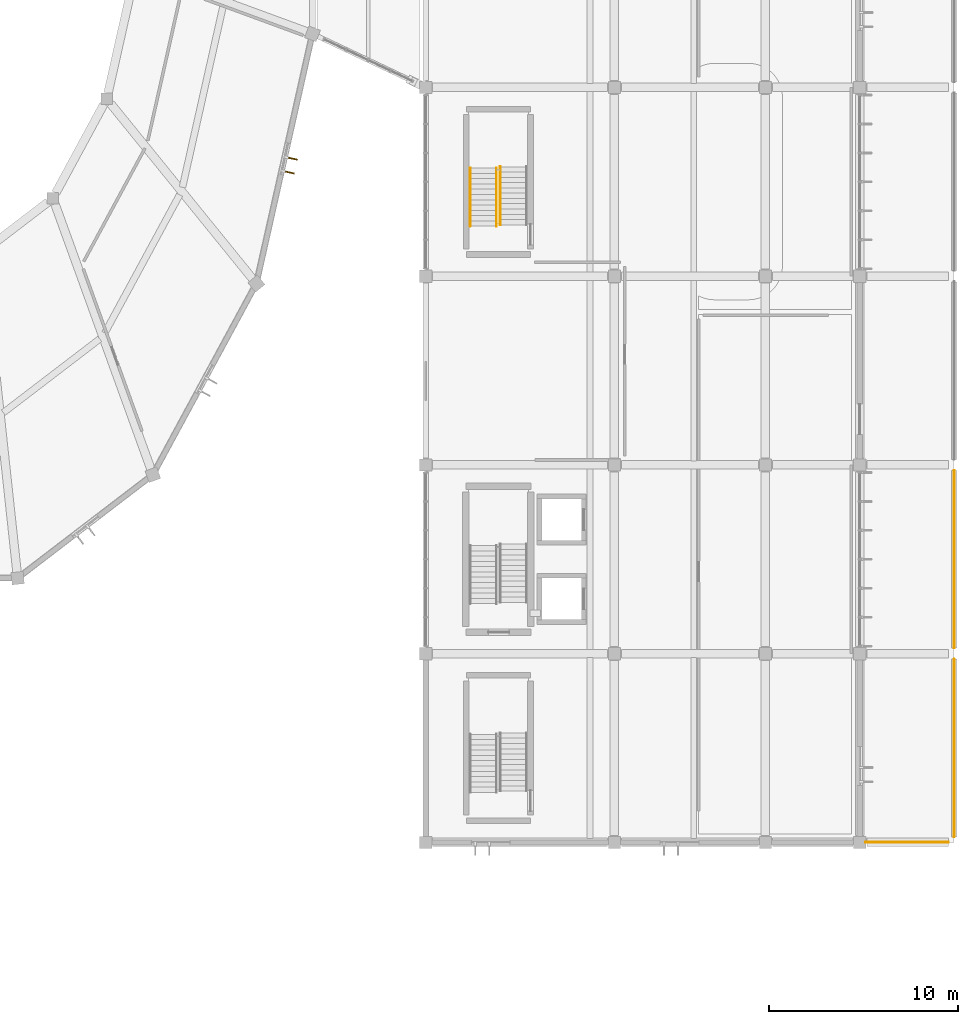
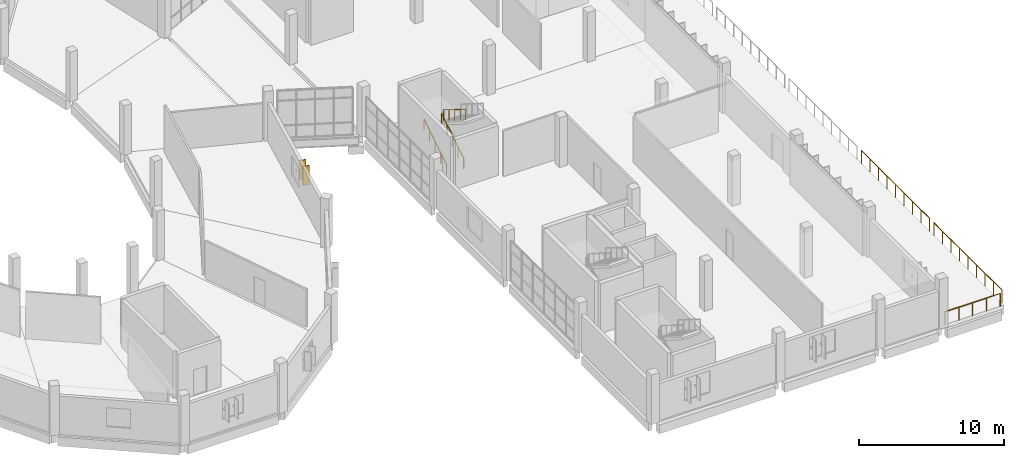
# One storey, part 135 of 142: 6 railings, 2 shading devices.
"""IFC4 building model written with IfcOpenShell, lengths in metres."""

from ifc_helpers import new_model, si_unit, direction, frame, origin, origin_2d, place, context, subcontext, project, spatial, rectangle, circle, extrude, material, layer, layer_set, type_object, element, save


model = new_model("IFC4")

# Units and contexts
model_context = context("Model", 3, precision=1e-05, world=origin(), true_north=direction((0.0, 1.0)))
body_context = subcontext(model_context, "Body", "Model", "MODEL_VIEW")
ifc_project = project(units=[si_unit("LENGTHUNIT", "METRE"), si_unit("AREAUNIT", "SQUARE_METRE"), si_unit("VOLUMEUNIT", "CUBIC_METRE"), si_unit("PLANEANGLEUNIT", "RADIAN"), si_unit("MASSUNIT", "GRAM", prefix="KILO")], contexts=[model_context])

# Site, building, storey
site_placement = place(None, origin())
site = spatial("IfcSite", under=ifc_project, at=site_placement, CompositionType="ELEMENT")
building_placement = place(site_placement, origin())
building = spatial("IfcBuilding", under=site, at=building_placement, Name="Corvandel Quay Wholesale Market", CompositionType="ELEMENT")
storey_placement = place(building_placement, frame((0.0, 0.0, 10.800048828125)))
storey = spatial("IfcBuildingStorey", under=building, at=storey_placement, Name="L02", CompositionType="ELEMENT", Elevation=10.800048828125)

# Railings
ifc_material_1 = material(Name="Hot-dip galvanised painted steel", Category="steel")
ifc_layer_1 = layer(ifc_material_1, 0.06005859375)
ifc_layer_set_1 = layer_set([ifc_layer_1], Name="Hot-dip galvanised painted steel")
railing_type_1 = type_object("IfcRailingType", Name="Galvanised Steel Guard Balustrade GR01 1100mm", PredefinedType="BALUSTRADE", material=ifc_layer_set_1)
for number, where, name in (
    (1, (248.0, 10.300048828125, 0.0), "Harbour Terrace Guard L02 GR-0030"),
    (2, (248.0, 20.300048828125, 0.0), "Harbour Terrace Guard L02 GR-0031"),
):
    element("IfcRailing", number, at=place(storey_placement, frame(where)), inside=storey, type_object=railing_type_1, Name=name, PredefinedType="BALUSTRADE", context=body_context, shape_type="SweptSolid", body=[
        extrude(circle(Radius=0.02392578125, at=origin_2d()), frame((0.0, 0.0, 1.076171875), z_axis=(0.0, 1.0, 0.0), x_axis=(-1.0, 0.0, 0.0)), (0.0, 0.0, 1.0), 9.39990234375),
        extrude(circle(Radius=0.02099609375, at=origin_2d()), origin(), (0.0, 0.0, 1.0), 1.052001953125),
        extrude(circle(Radius=0.02099609375, at=origin_2d()), frame((0.0, 1.175048828125, 0.0)), (0.0, 0.0, 1.0), 1.052001953125),
        extrude(circle(Radius=0.02099609375, at=origin_2d()), frame((0.0, 2.35009765625, 0.0)), (0.0, 0.0, 1.0), 1.052001953125),
        extrude(circle(Radius=0.02099609375, at=origin_2d()), frame((0.0, 3.52490234375, 0.0)), (0.0, 0.0, 1.0), 1.052001953125),
        extrude(circle(Radius=0.02099609375, at=origin_2d()), frame((0.0, 4.699951171875, 0.0)), (0.0, 0.0, 1.0), 1.052001953125),
        extrude(circle(Radius=0.02099609375, at=origin_2d()), frame((0.0, 5.875, 0.0)), (0.0, 0.0, 1.0), 1.052001953125),
        extrude(circle(Radius=0.02099609375, at=origin_2d()), frame((0.0, 7.0498046875, 0.0)), (0.0, 0.0, 1.0), 1.052001953125),
        extrude(circle(Radius=0.02099609375, at=origin_2d()), frame((0.0, 8.224853515625, 0.0)), (0.0, 0.0, 1.0), 1.052001953125),
        extrude(circle(Radius=0.02099609375, at=origin_2d()), frame((0.0, 9.39990234375, 0.0)), (0.0, 0.0, 1.0), 1.052001953125),
    ])
railing_1_placement = place(storey_placement, frame((243.300048828125, 10.0, 0.0)))
element("IfcRailing", 3, at=railing_1_placement, inside=storey, type_object=railing_type_1, Name="South Terrace Return Guard L02 GR-0039", PredefinedType="BALUSTRADE", context=body_context, shape_type="SweptSolid", body=[
    extrude(circle(Radius=0.02392578125, at=origin_2d()), frame((0.0, 0.0, 1.076171875), z_axis=(1.0, 0.0, 0.0), x_axis=(0.0, 1.0, 0.0)), (0.0, 0.0, 1.0), 4.39990234375),
    extrude(circle(Radius=0.02099609375, at=origin_2d()), origin(), (0.0, 0.0, 1.0), 1.052001953125),
    extrude(circle(Radius=0.02099609375, at=origin_2d()), frame((1.10009765625, 0.0, 0.0)), (0.0, 0.0, 1.0), 1.052001953125),
    extrude(circle(Radius=0.02099609375, at=origin_2d()), frame((2.199951171875, 0.0, 0.0)), (0.0, 0.0, 1.0), 1.052001953125),
    extrude(circle(Radius=0.02099609375, at=origin_2d()), frame((3.2998046875, 0.0, 0.0)), (0.0, 0.0, 1.0), 1.052001953125),
    extrude(circle(Radius=0.02099609375, at=origin_2d()), frame((4.39990234375, 0.0, 0.0)), (0.0, 0.0, 1.0), 1.052001953125),
])
ifc_material_2 = material(Name="Brushed austenitic stainless steel Grade 316", Category="steel")
ifc_layer_2 = layer(ifc_material_2, 0.048095703125)
ifc_layer_set_2 = layer_set([ifc_layer_2], Name="Brushed austenitic stainless steel Grade 316")
railing_type_2 = type_object("IfcRailingType", Name="Tubular Stainless Stair Handrail HR01 915mm", PredefinedType="HANDRAIL", material=ifc_layer_set_2)
for number, where, name in (
    (4, (222.360107421875, 42.64990234375, 0.175048828125), "Stair Handrail 0168"),
    (5, (223.75, 42.64990234375, 0.175048828125), "Stair Handrail 0169"),
):
    element("IfcRailing", number, at=place(storey_placement, frame(where)), inside=storey, type_object=railing_type_2, Name=name, PredefinedType="HANDRAIL", context=body_context, shape_type="SweptSolid", body=[
        extrude(circle(Radius=0.02392578125, at=origin_2d()), frame((0.0, 0.0, 0.89111328125), z_axis=(0.0, 0.848028513186, 0.529950602248), x_axis=(-1.0, 0.0, 0.0)), (0.0, 0.0, 1.0), 3.632080078125),
        extrude(circle(Radius=0.02099609375, at=origin_2d()), origin(), (0.0, 0.0, 1.0), 0.866943359375),
        extrude(circle(Radius=0.02099609375, at=origin_2d()), frame((0.0, 0.77001953125, 0.481201171875)), (0.0, 0.0, 1.0), 0.866943359375),
        extrude(circle(Radius=0.02099609375, at=origin_2d()), frame((0.0, 1.5400390625, 0.96240234375)), (0.0, 0.0, 1.0), 0.866943359375),
        extrude(circle(Radius=0.02099609375, at=origin_2d()), frame((0.0, 2.31005859375, 1.443603515625)), (0.0, 0.0, 1.0), 0.866943359375),
        extrude(circle(Radius=0.02099609375, at=origin_2d()), frame((0.0, 3.080078125, 1.9248046875)), (0.0, 0.0, 1.0), 0.866943359375),
    ])
railing_2_placement = place(storey_placement, frame((223.949951171875, 45.800048828125, 2.27490234375)))
element("IfcRailing", 6, at=railing_2_placement, inside=storey, type_object=railing_type_2, Name="Stair Handrail 0170", PredefinedType="HANDRAIL", context=body_context, shape_type="SweptSolid", body=[
    extrude(circle(Radius=0.02392578125, at=origin_2d()), frame((0.0, 0.0, 0.89111328125), z_axis=(0.0, -0.847998304005, 0.529998940003), x_axis=(1.0, 0.0, 0.0)), (0.0, 0.0, 1.0), 3.632080078125),
    extrude(circle(Radius=0.02099609375, at=origin_2d()), origin(), (0.0, 0.0, 1.0), 0.866943359375),
    extrude(circle(Radius=0.02099609375, at=origin_2d()), frame((0.0, -0.77001953125, 0.481201171875)), (0.0, 0.0, 1.0), 0.866943359375),
    extrude(circle(Radius=0.02099609375, at=origin_2d()), frame((0.0, -1.5400390625, 0.96240234375)), (0.0, 0.0, 1.0), 0.866943359375),
    extrude(circle(Radius=0.02099609375, at=origin_2d()), frame((0.0, -2.31005859375, 1.44384765625)), (0.0, 0.0, 1.0), 0.866943359375),
    extrude(circle(Radius=0.02099609375, at=origin_2d()), frame((0.0, -3.080078125, 1.925048828125)), (0.0, 0.0, 1.0), 0.866943359375),
])

# Shading devices
ifc_material_3 = material(Name="Bronze anodised extruded aluminium 6063-T6", Category="aluminium")
shading_device_type = type_object("IfcShadingDeviceType", Name="Vertical Anodised Bronze Solar Fin FN01 480mm", PredefinedType="JALOUSIE", material=ifc_material_3)
for number, where, z_axis, x_axis, name in (
    (7, (212.802490234375, 45.492919921875, 0.949951171875), (0.0, 0.0, 1.0), (-0.975726024471, 0.218994806262, 0.0), "Solar Fin 0516"),
    (8, (212.966796875, 46.224853515625, 0.949951171875), (0.0, 0.0, 1.0), (-0.975726024471, 0.218994806262, 0.0), "Solar Fin 0517"),
):
    element("IfcShadingDevice", number, at=place(storey_placement, frame(where, z_axis=z_axis, x_axis=x_axis)), inside=storey, type_object=shading_device_type, Name=name, PredefinedType="JALOUSIE", context=body_context, shape_type="SweptSolid", body=[
        extrude(rectangle(XDim=0.47998046875, YDim=0.06494140625, at=origin_2d()), origin(), (0.0, 0.0, 1.0), 1.60009765625),
    ])

save(model, "model.ifc")
